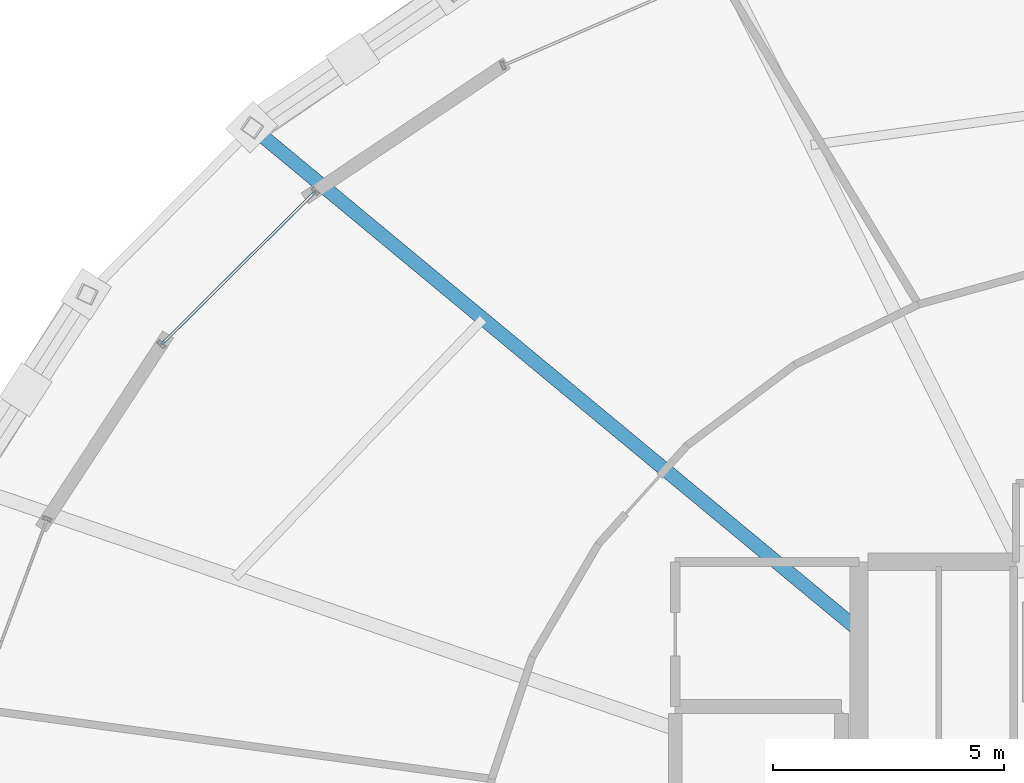
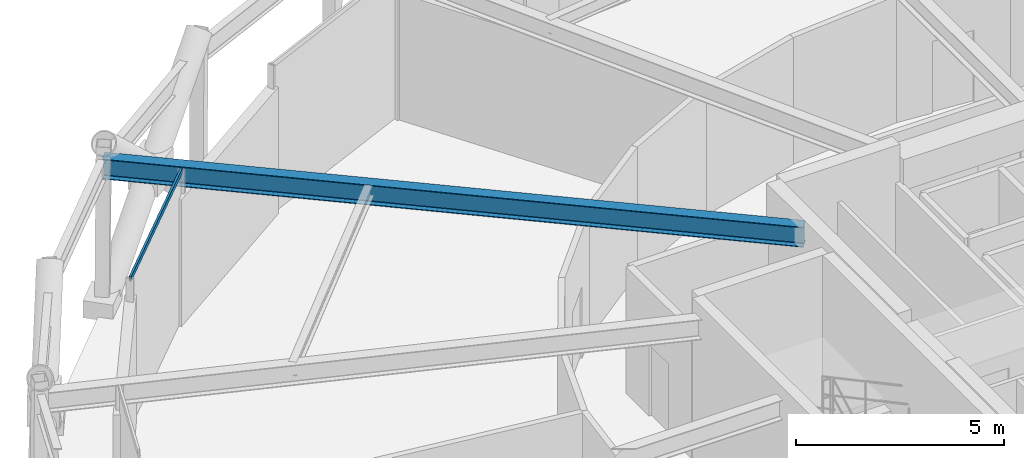
# One storey, part 22 of 39: 1 beam, 1 member, 1 element without a shape of its own.
"""IFC4 building model written with IfcOpenShell, lengths in metres."""

from ifc_helpers import new_model, si_unit, direction, frame, origin, origin_2d, place, context, subcontext, project, spatial, hollow_rectangle, i_section, extrude, material, layer, layer_set, material_profile, profile_set, type_object, element, aggregate, save


model = new_model("IFC4")

# Units and contexts
model_context = context("Model", 3, precision=1e-05, world=origin(), true_north=direction((0.0, 1.0)))
body_context = subcontext(model_context, "Body", "Model", "MODEL_VIEW")
ifc_project = project(units=[si_unit("LENGTHUNIT", "METRE"), si_unit("AREAUNIT", "SQUARE_METRE"), si_unit("VOLUMEUNIT", "CUBIC_METRE"), si_unit("PLANEANGLEUNIT", "RADIAN"), si_unit("MASSUNIT", "GRAM", prefix="KILO")], contexts=[model_context])

# Site, building, storey
site_placement = place(None, origin())
site = spatial("IfcSite", under=ifc_project, at=site_placement, CompositionType="ELEMENT")
building_placement = place(site_placement, origin())
building = spatial("IfcBuilding", under=site, at=building_placement, Name="Veldorina Hangang Commons", CompositionType="ELEMENT")
storey_placement = place(building_placement, frame((0.0, 0.0, 106.0)))
storey = spatial("IfcBuildingStorey", under=building, at=storey_placement, Name="L27", CompositionType="ELEMENT", Elevation=106.0)

# Beam
ifc_material_1 = material(Name="Steel SM460-TMC", Category="steel")
ifc_material_profile_1 = material_profile(ifc_material_1, i_section(OverallWidth=0.300048828125, OverallDepth=0.587890625, WebThickness=0.011962890625, FlangeThickness=0.02001953125, FilletRadius=0.01806640625, at=origin_2d()), Name="H-588x300x12x20")
ifc_profile_set_1 = profile_set([ifc_material_profile_1], Name="Steel SM460-TMC")
beam_type = type_object("IfcBeamType", Name="BM-FG588", PredefinedType="BEAM", material=ifc_profile_set_1)
beam_placement = place(storey_placement, frame((24.800048828125, 29.966552734375, 4.14599609375), z_axis=(-0.769977546462, 0.638070981901, 0.0), x_axis=(-0.638070981901, -0.769977546462, 0.0)))
element("IfcBeam", 1, at=beam_placement, inside=storey, type_object=beam_type, Name="L27 radial floor girder 07", PredefinedType="BEAM", context=body_context, shape_type="SweptSolid", body=[
    extrude(i_section(OverallWidth=0.300048828125, OverallDepth=0.587890625, WebThickness=0.011962890625, FlangeThickness=0.02001953125, FilletRadius=0.01806640625, at=origin_2d()), origin(), (0.0, 0.0, 1.0), 17.052001953125),
])

# Curtain wall, member
ifc_material_2 = material(Name="Glass Acoustic Laminated", Category="glass")
ifc_layer = layer(ifc_material_2, 0.179931640625)
ifc_layer_set = layer_set([ifc_layer], Name="Glass Acoustic Laminated")
curtain_wall_type = type_object("IfcCurtainWallType", Name="CW-SYS-SKY", PredefinedType="NOTDEFINED", material=ifc_layer_set)
curtain_wall_placement = place(storey_placement, origin())
curtain_wall = element("IfcCurtainWall", 2, at=curtain_wall_placement, inside=storey, type_object=curtain_wall_type, Name="L27 unitised curtain wall CW-L27-R7", PredefinedType="NOTDEFINED")
ifc_material_3 = material(Name="Aluminium Anodized AA6063-T6", Category="aluminium")
ifc_material_profile_2 = material_profile(ifc_material_3, hollow_rectangle(XDim=0.06005859375, YDim=0.139892578125, WallThickness=0.00341796875, at=origin_2d()), Name="ALU-RHS-140x60x3.5")
ifc_profile_set_2 = profile_set([ifc_material_profile_2], Name="Aluminium Anodized AA6063-T6")
member_type = type_object("IfcMemberType", Name="CW-TRN-140", PredefinedType="USERDEFINED", material=ifc_profile_set_2)
member_placement = place(storey_placement, frame((13.033203125, 39.477294921875, 4.360107421875), z_axis=(-0.709102086591, -0.705105829498, 0.0), x_axis=(0.705105829498, -0.709102086591, 0.0)))
member = element("IfcMember", 3, at=member_placement, type_object=member_type, Name="CW-L27-R7 facet 1 transom 1", ObjectType="TRANSOM", PredefinedType="USERDEFINED", context=body_context, shape_type="SweptSolid", body=[
    extrude(hollow_rectangle(XDim=0.06005859375, YDim=0.139892578125, WallThickness=0.00341796875, at=origin_2d()), origin(), (0.0, 0.0, 1.0), 4.7041015625),
])
aggregate(curtain_wall, [member])

save(model, "model.ifc")
